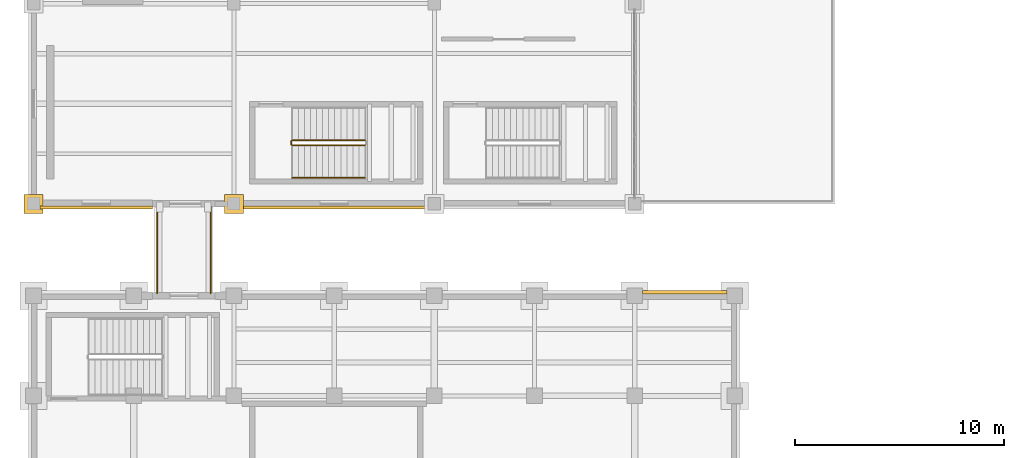
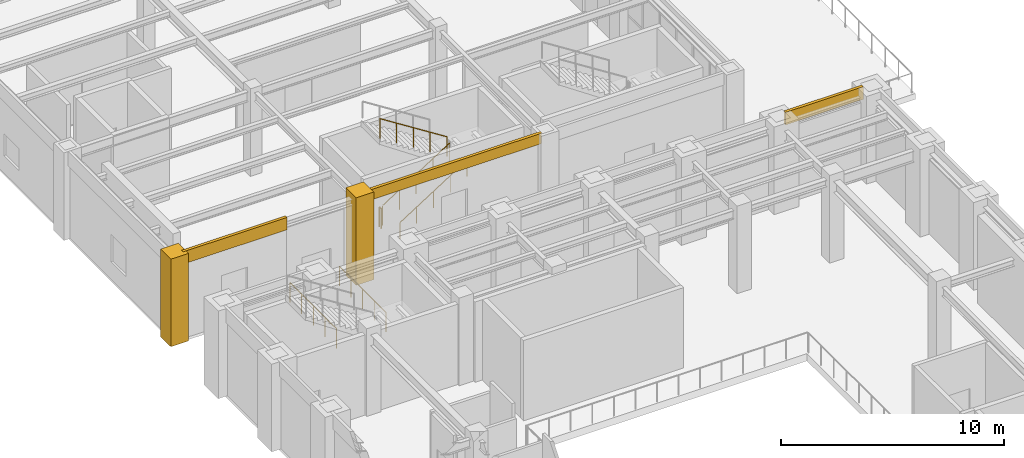
# One storey, part 76 of 83: 6 railings, 5 coverings.
"""IFC4 building model written with IfcOpenShell, lengths in metres."""

from ifc_helpers import new_model, si_unit, direction, frame, origin, origin_2d, place, context, subcontext, project, spatial, polyline, circle, outline, extrude, material, layer, layer_set, type_object, element, save


model = new_model("IFC4")

# Units and contexts
model_context = context("Model", 3, precision=1e-05, world=origin(), true_north=direction((0.0, 1.0)))
body_context = subcontext(model_context, "Body", "Model", "MODEL_VIEW")
ifc_project = project(units=[si_unit("LENGTHUNIT", "METRE"), si_unit("AREAUNIT", "SQUARE_METRE"), si_unit("VOLUMEUNIT", "CUBIC_METRE"), si_unit("PLANEANGLEUNIT", "RADIAN"), si_unit("MASSUNIT", "GRAM", prefix="KILO")], contexts=[model_context])

# Site, building, storey
site_placement = place(None, origin())
site = spatial("IfcSite", under=ifc_project, at=site_placement, CompositionType="ELEMENT")
building_placement = place(site_placement, origin())
building = spatial("IfcBuilding", under=site, at=building_placement, Name="Mavantir Sound Aquarium", CompositionType="ELEMENT")
storey_placement = place(building_placement, frame((0.0, 0.0, 10.5)))
storey = spatial("IfcBuildingStorey", under=building, at=storey_placement, Name="L02", CompositionType="ELEMENT", Elevation=10.5)

# Coverings
ifc_material_1 = material(Name="Honed Coral-Limestone & Glazed Terracotta Rainscreen Cladding", Category="masonry")
ifc_layer = layer(ifc_material_1, 0.06005859375, Name="Honed Coral-Limestone & Glazed Terracotta Rainscreen Cladding")
ifc_layer_set = layer_set([ifc_layer], Name="Honed Coral-Limestone & Glazed Terracotta Rainscreen Cladding")
covering_type = type_object("IfcCoveringType", Name="COV-CLAD-TC", PredefinedType="CLADDING", material=ifc_layer_set)
covering_1_placement = place(storey_placement, frame((0.0, 0.0, 4.113037109375)))
element("IfcCovering", 1, at=covering_1_placement, inside=storey, type_object=covering_type, Name="L02 Postmodern coral-limestone spandrel frieze 293", PredefinedType="CLADDING", context=body_context, shape_type="SweptSolid", body=[
    extrude(outline(polyline([(33.217041015625, 79.2900390625), (29.18310546875, 79.2900390625), (29.18310546875, 79.43994140625), (33.217041015625, 79.43994140625), (33.217041015625, 79.2900390625)])), origin(), (0.0, 0.0, 1.0), 0.68701171875),
])
covering_2_placement = place(storey_placement, frame((0.0, 0.0, 4.1279296875)))
element("IfcCovering", 2, at=covering_2_placement, inside=storey, type_object=covering_type, Name="L02 Postmodern coral-limestone spandrel frieze 386", PredefinedType="CLADDING", context=body_context, shape_type="SweptSolid", body=[
    extrude(outline(polyline([(0.30810546875, 83.510009765625), (5.695068359375, 83.510009765625), (5.695068359375, 83.360107421875), (0.30810546875, 83.360107421875), (0.30810546875, 83.510009765625)])), origin(), (0.0, 0.0, 1.0), 0.672119140625),
])
covering_3_placement = place(storey_placement, frame((0.0, 0.0, 4.23291015625)))
element("IfcCovering", 3, at=covering_3_placement, inside=storey, type_object=covering_type, Name="L02 Postmodern coral-limestone spandrel frieze 387", PredefinedType="CLADDING", context=body_context, shape_type="SweptSolid", body=[
    extrude(outline(polyline([(9.907958984375, 83.510009765625), (18.89208984375, 83.510009765625), (18.89208984375, 83.360107421875), (9.907958984375, 83.360107421875), (9.907958984375, 83.510009765625)])), origin(), (0.0, 0.0, 1.0), 0.567138671875),
])
covering_4_placement = place(storey_placement, origin())
element("IfcCovering", 4, at=covering_4_placement, inside=storey, type_object=covering_type, Name="L02 Postmodern coral-limestone pilaster casing 345", PredefinedType="CLADDING", context=body_context, shape_type="SweptSolid", body=[
    extrude(outline(polyline([(-0.4599609375, 83.139892578125), (0.4599609375, 83.139892578125), (0.4599609375, 84.06005859375), (-0.4599609375, 84.06005859375), (-0.4599609375, 83.139892578125)])), origin(), (0.0, 0.0, 1.0), 4.800048828125),
])
covering_5_placement = place(storey_placement, origin())
element("IfcCovering", 5, at=covering_5_placement, inside=storey, type_object=covering_type, Name="L02 Postmodern coral-limestone pilaster casing 368", PredefinedType="CLADDING", context=body_context, shape_type="SweptSolid", body=[
    extrude(outline(polyline([(9.139892578125, 83.139892578125), (10.06005859375, 83.139892578125), (10.06005859375, 84.06005859375), (9.139892578125, 84.06005859375), (9.139892578125, 83.139892578125)])), origin(), (0.0, 0.0, 1.0), 4.800048828125),
])

# Railings
ifc_material_2 = material(Name="Stainless Steel 316 Bridge Balustrade", Category="steel")
railing_type_1 = type_object("IfcRailingType", Name="RL-BAL-110", PredefinedType="BALUSTRADE", material=ifc_material_2)
for number, where, name in (
    (6, (5.919921875, 79.320068359375, 0.0), "L02 bridge W guardrail 12"),
    (7, (8.47998046875, 79.320068359375, 0.0), "L02 bridge E guardrail 13"),
):
    element("IfcRailing", number, at=place(storey_placement, frame(where)), inside=storey, type_object=railing_type_1, Name=name, PredefinedType="BALUSTRADE", context=body_context, shape_type="SweptSolid", body=[
        extrude(circle(Radius=0.02392578125, at=origin_2d()), frame((0.0, 0.0, 1.076171875), z_axis=(0.0, 1.0, 0.0), x_axis=(-1.0, 0.0, 0.0)), (0.0, 0.0, 1.0), 4.159912109375),
        extrude(circle(Radius=0.02099609375, at=origin_2d()), origin(), (0.0, 0.0, 1.0), 1.052001953125),
        extrude(circle(Radius=0.02099609375, at=origin_2d()), frame((0.0, 1.0400390625, 0.0)), (0.0, 0.0, 1.0), 1.052001953125),
        extrude(circle(Radius=0.02099609375, at=origin_2d()), frame((0.0, 2.080078125, 0.0)), (0.0, 0.0, 1.0), 1.052001953125),
        extrude(circle(Radius=0.02099609375, at=origin_2d()), frame((0.0, 3.119873046875, 0.0)), (0.0, 0.0, 1.0), 1.052001953125),
        extrude(circle(Radius=0.02099609375, at=origin_2d()), frame((0.0, 4.159912109375, 0.0)), (0.0, 0.0, 1.0), 1.052001953125),
    ])
ifc_material_3 = material(Name="Stainless Steel 316 and Laminated Glass Guardrail", Category="steel")
railing_type_2 = type_object("IfcRailingType", Name="RL-GUARD-110", PredefinedType="GUARDRAIL", material=ifc_material_3)
railing_1_placement = place(storey_placement, frame((12.39990234375, 86.39990234375, 0.1845703125)))
element("IfcRailing", 8, at=railing_1_placement, inside=storey, type_object=railing_type_2, Name="L02 ST5 stair guard 1", PredefinedType="GUARDRAIL", context=body_context, shape_type="SweptSolid", body=[
    extrude(circle(Radius=0.02392578125, at=origin_2d()), frame((0.0, 0.0, 1.076171875), z_axis=(0.843573748531, 0.0, 0.537013343214), x_axis=(0.0, 1.0, 0.0)), (0.0, 0.0, 1.0), 4.125244140625),
    extrude(circle(Radius=0.02099609375, at=origin_2d()), origin(), (0.0, 0.0, 1.0), 1.052001953125),
    extrude(circle(Radius=0.02099609375, at=origin_2d()), frame((0.8701171875, 0.0, 0.5537109375)), (0.0, 0.0, 1.0), 1.052001953125),
    extrude(circle(Radius=0.02099609375, at=origin_2d()), frame((1.739990234375, 0.0, 1.107666015625)), (0.0, 0.0, 1.0), 1.052001953125),
    extrude(circle(Radius=0.02099609375, at=origin_2d()), frame((2.60986328125, 0.0, 1.66162109375)), (0.0, 0.0, 1.0), 1.052001953125),
    extrude(circle(Radius=0.02099609375, at=origin_2d()), frame((3.47998046875, 0.0, 2.21533203125)), (0.0, 0.0, 1.0), 1.052001953125),
])
railing_2_placement = place(storey_placement, frame((15.8798828125, 86.64990234375, 2.584716796875)))
element("IfcRailing", 9, at=railing_2_placement, inside=storey, type_object=railing_type_2, Name="L02 ST5 stair guard 3", PredefinedType="GUARDRAIL", context=body_context, shape_type="SweptSolid", body=[
    extrude(circle(Radius=0.02392578125, at=origin_2d()), frame((0.0, 0.0, 1.076171875), z_axis=(-0.843573748531, 0.0, 0.537013343214), x_axis=(0.0, -1.0, 0.0)), (0.0, 0.0, 1.0), 4.125244140625),
    extrude(circle(Radius=0.02099609375, at=origin_2d()), origin(), (0.0, 0.0, 1.0), 1.052001953125),
    extrude(circle(Radius=0.02099609375, at=origin_2d()), frame((-0.8701171875, 0.0, 0.5537109375)), (0.0, 0.0, 1.0), 1.052001953125),
    extrude(circle(Radius=0.02099609375, at=origin_2d()), frame((-1.739990234375, 0.0, 1.107666015625)), (0.0, 0.0, 1.0), 1.052001953125),
    extrude(circle(Radius=0.02099609375, at=origin_2d()), frame((-2.60986328125, 0.0, 1.66162109375)), (0.0, 0.0, 1.0), 1.052001953125),
    extrude(circle(Radius=0.02099609375, at=origin_2d()), frame((-3.47998046875, 0.0, 2.21533203125)), (0.0, 0.0, 1.0), 1.052001953125),
])
railing_3_placement = place(storey_placement, frame((12.35009765625, 86.449951171875, 0.0)))
element("IfcRailing", 10, at=railing_3_placement, inside=storey, type_object=railing_type_2, Name="L02 ST5 stair guard 4", PredefinedType="GUARDRAIL", context=body_context, shape_type="SweptSolid", body=[
    extrude(circle(Radius=0.02392578125, at=origin_2d()), frame((0.0, 0.0, 1.076171875), z_axis=(0.0, 1.0, 0.0), x_axis=(-1.0, 0.0, 0.0)), (0.0, 0.0, 1.0), 0.150146484375),
    extrude(circle(Radius=0.02099609375, at=origin_2d()), origin(), (0.0, 0.0, 1.0), 1.052001953125),
    extrude(circle(Radius=0.02099609375, at=origin_2d()), frame((0.0, 0.150146484375, 0.0)), (0.0, 0.0, 1.0), 1.052001953125),
])
ifc_material_4 = material(Name="Brushed Stainless Steel 316 Handrail", Category="steel")
railing_type_3 = type_object("IfcRailingType", Name="RL-HR-90", PredefinedType="HANDRAIL", material=ifc_material_4)
railing_4_placement = place(storey_placement, frame((12.39990234375, 84.85009765625, 0.36962890625)))
element("IfcRailing", 11, at=railing_4_placement, inside=storey, type_object=railing_type_3, Name="L02 ST5 stair handrail 1", PredefinedType="HANDRAIL", context=body_context, shape_type="SweptSolid", body=[
    extrude(circle(Radius=0.02392578125, at=origin_2d()), frame((0.0, 0.0, 0.89111328125), z_axis=(0.843573748531, 0.0, 0.537013343214), x_axis=(0.0, 1.0, 0.0)), (0.0, 0.0, 1.0), 4.125244140625),
    extrude(circle(Radius=0.02099609375, at=origin_2d()), origin(), (0.0, 0.0, 1.0), 0.866943359375),
    extrude(circle(Radius=0.02099609375, at=origin_2d()), frame((0.8701171875, 0.0, 0.5537109375)), (0.0, 0.0, 1.0), 0.866943359375),
    extrude(circle(Radius=0.02099609375, at=origin_2d()), frame((1.739990234375, 0.0, 1.107666015625)), (0.0, 0.0, 1.0), 0.866943359375),
    extrude(circle(Radius=0.02099609375, at=origin_2d()), frame((2.60986328125, 0.0, 1.66162109375)), (0.0, 0.0, 1.0), 0.866943359375),
    extrude(circle(Radius=0.02099609375, at=origin_2d()), frame((3.47998046875, 0.0, 2.21533203125)), (0.0, 0.0, 1.0), 0.866943359375),
])

save(model, "model.ifc")
